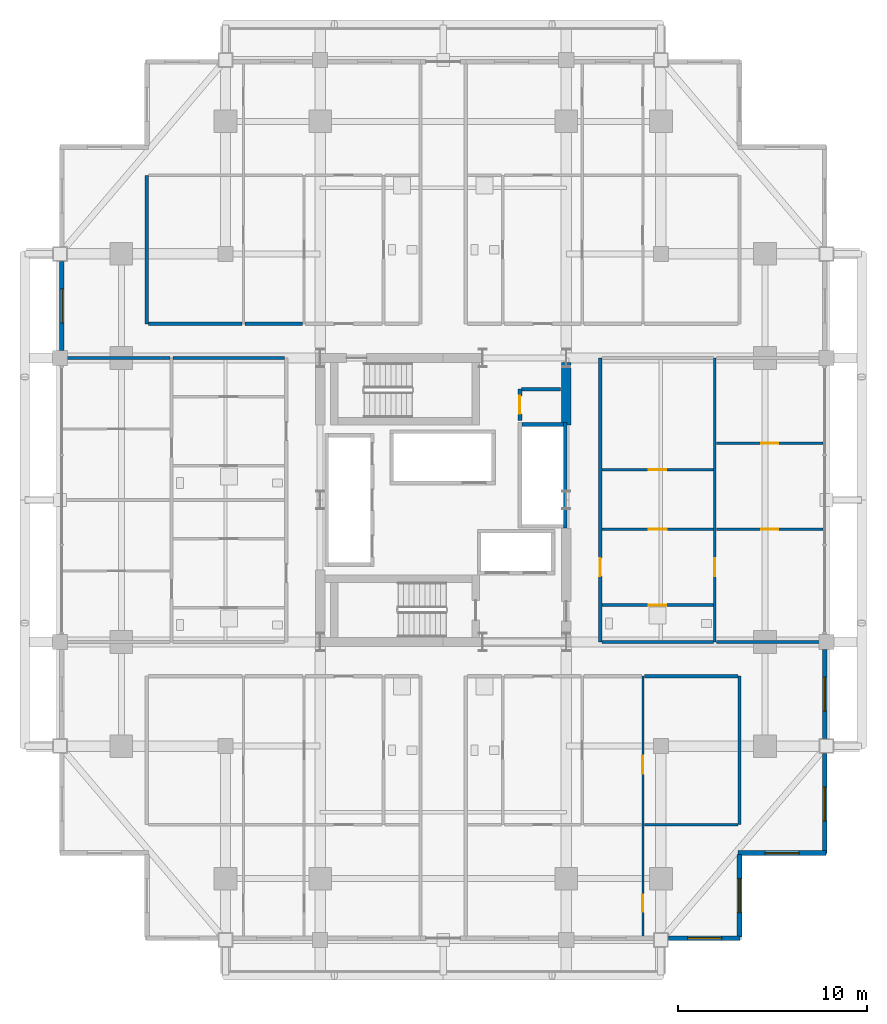
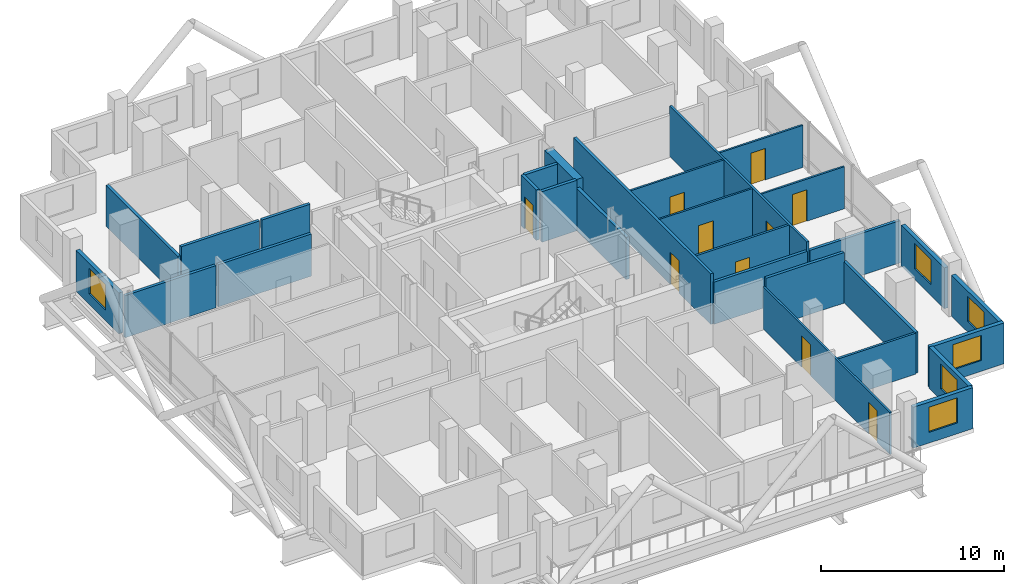
# One storey, part 16 of 21: 29 walls, 10 doors, 6 windows, 16 openings.
"""IFC4 building model written with IfcOpenShell, lengths in metres."""

import ifcopenshell
import ifcopenshell.guid

model = None  # the IFC model being written
_history = None  # IfcOwnerHistory: only IFC2X3 demands one
_inside = {}  # id of a spatial element -> (the spatial element, [elements in it])
_under = {}  # id of a project, library or spatial element -> (it, [spatial elements below it])
_declared = {}  # id of a project -> (the project, [libraries it declares])
_typed = {}  # id of a type object -> (the type object, [elements of that type])
_made_of = {}  # id of a material, layer set ... -> (it, [elements and type objects made of it])


def new_model(schema):
    """Start an empty IFC model of exactly this schema.

    Asked for "IFC4X3", IfcOpenShell would pick the latest addendum, in which some entities
    have other attributes; the version numbers below select the first issue.
    IFC2X3 requires an IfcOwnerHistory on every rooted entity: one is made here for all.
    """
    global model, _history
    if schema == "IFC4X3":
        model = ifcopenshell.file(schema_version=(4, 3, 0, 0))
    else:
        model = ifcopenshell.file(schema=schema)
    _inside.clear()
    _under.clear()
    _declared.clear()
    _typed.clear()
    _made_of.clear()
    _history = None
    if model.schema == "IFC2X3":
        org = make("IfcOrganization", Name="unknown")
        user = make(
            "IfcPersonAndOrganization",
            ThePerson=make("IfcPerson", FamilyName="unknown"),
            TheOrganization=org,
        )
        app = make(
            "IfcApplication",
            ApplicationDeveloper=org,
            Version="unknown",
            ApplicationFullName="unknown",
            ApplicationIdentifier="unknown",
        )
        _history = make(
            "IfcOwnerHistory",
            OwningUser=user,
            OwningApplication=app,
            ChangeAction="ADDED",
            CreationDate=0,
        )
    return model


def make(cls, **values):
    """One entity of the class cls with the attributes given. An attribute that is None is left unset."""
    return model.create_entity(
        cls, **{name: value for name, value in values.items() if value is not None}
    )


def rooted(cls, **values):
    """An entity with a GlobalId (a new one), such as an element, a storey or a relation."""
    return make(cls, GlobalId=ifcopenshell.guid.new(), OwnerHistory=_history, **values)


def si_unit(unit_type, name, prefix=None):
    """IfcSIUnit, for example si_unit("LENGTHUNIT", "METRE", prefix="MILLI")."""
    return make("IfcSIUnit", UnitType=unit_type, Prefix=prefix, Name=name)


def assignment(units):
    """IfcUnitAssignment: the units of a project."""
    return None if units is None else make("IfcUnitAssignment", Units=units)


def point(xyz):
    """IfcCartesianPoint."""
    return None if xyz is None else make("IfcCartesianPoint", Coordinates=xyz)


def direction(xyz):
    """IfcDirection."""
    return None if xyz is None else make("IfcDirection", DirectionRatios=xyz)


def frame(location, z_axis=None, x_axis=None):
    """IfcAxis2Placement3D, a coordinate frame: its origin and axes. An axis left out is left unset."""
    return make(
        "IfcAxis2Placement3D",
        Location=point(location),
        Axis=direction(z_axis),
        RefDirection=direction(x_axis),
    )


def frame_2d(location, x_axis=None):
    """IfcAxis2Placement2D, a coordinate frame in the plane: its origin and x axis."""
    return make(
        "IfcAxis2Placement2D", Location=point(location), RefDirection=direction(x_axis)
    )


def origin():
    """The frame at (0, 0, 0) with its axes left unset."""
    return frame((0.0, 0.0, 0.0))


def place(relative_to, where):
    """IfcLocalPlacement: puts the frame where relative to a parent placement (None: the world)."""
    return make(
        "IfcLocalPlacement", PlacementRelTo=relative_to, RelativePlacement=where
    )


def context(
    kind, dimensions, precision=None, world=None, true_north=None, identifier=None
):
    """IfcGeometricRepresentationContext, for example the 3D "Model" context."""
    return make(
        "IfcGeometricRepresentationContext",
        ContextIdentifier=identifier,
        ContextType=kind,
        CoordinateSpaceDimension=dimensions,
        Precision=precision,
        WorldCoordinateSystem=world,
        TrueNorth=true_north,
    )


def subcontext(parent, identifier, kind, view, scale=None):
    """IfcGeometricRepresentationSubContext, for example "Body" below "Model"."""
    return make(
        "IfcGeometricRepresentationSubContext",
        ContextIdentifier=identifier,
        ContextType=kind,
        ParentContext=parent,
        TargetScale=scale,
        TargetView=view,
    )


def project(units=None, contexts=None):
    """IfcProject with its units and contexts."""
    return rooted(
        "IfcProject",
        Name="project",
        RepresentationContexts=contexts,
        UnitsInContext=assignment(units),
    )


def spatial(cls, under=None, at=None, **own):
    """A site, building, storey or space (cls), placed at a placement, below another one or the project."""
    s = rooted(cls, ObjectPlacement=at, **own)
    if under is not None:
        _under.setdefault(under.id(), (under, []))[1].append(s)
    return s


def profile(cls, at=None, kind="AREA", **sizes):
    """A parametric profile (cls). Its sizes go by their IFC names, for example OverallWidth=200.0."""
    return make(cls, ProfileType=kind, Position=at, **sizes)


def rectangle(**sizes):
    """IfcRectangleProfileDef."""
    return profile("IfcRectangleProfileDef", **sizes)


def extrude(swept, where, along, depth):
    """IfcExtrudedAreaSolid: the profile swept, set in the frame where, extruded along a direction by depth."""
    return make(
        "IfcExtrudedAreaSolid",
        SweptArea=swept,
        Position=where,
        ExtrudedDirection=direction(along),
        Depth=depth,
    )


def shape(context_of_items, identifier, shape_type, items):
    """IfcShapeRepresentation: the items that make up one representation, for example the "Body"."""
    return make(
        "IfcShapeRepresentation",
        ContextOfItems=context_of_items,
        RepresentationIdentifier=identifier,
        RepresentationType=shape_type,
        Items=items,
    )


def material(Name=None, Category=None):
    """IfcMaterial."""
    return make("IfcMaterial", Name=Name, Category=Category)


def layer(
    of_material, thickness, ventilated=None, Name=None, Category=None, Priority=None
):
    """IfcMaterialLayer: one layer of a wall or slab, of a material (None: an air gap)."""
    return make(
        "IfcMaterialLayer",
        Material=of_material,
        LayerThickness=thickness,
        IsVentilated=ventilated,
        Name=Name,
        Category=Category,
        Priority=Priority,
    )


def layer_set(layers, Name=None):
    """IfcMaterialLayerSet."""
    return make("IfcMaterialLayerSet", MaterialLayers=layers, LayerSetName=Name)


def made_of(thing, what):
    """Note that an element or type object is made of a material, layer set ...; save() writes the relation."""
    if what is not None:
        _made_of.setdefault(what.id(), (what, []))[1].append(thing)
    return thing


def type_object(cls, material=None, **own):
    """A type object (cls), such as IfcWallType, which elements share."""
    return made_of(rooted(cls, **own), material)


def element(
    cls,
    number,
    at=None,
    inside=None,
    cuts=None,
    type_object=None,
    material=None,
    context=None,
    identifier="Body",
    shape_type=None,
    held_by="IfcProductDefinitionShape",
    body=None,
    shapes=None,
    **own,
):
    """One element of the class cls, such as IfcWall. Its Tag is "e" and its number.

    at: its placement. inside: the storey or other place that contains it. cuts: it is an
    opening in that element (IfcRelVoidsElement). A single representation is given by context,
    identifier, shape_type and body (its items); several are given by shapes. held_by: the class
    of the entity that holds the representations. save() writes the other relations.
    """
    e = rooted(cls, Tag="e%d" % number, ObjectPlacement=at, **own)
    if body is not None:
        shapes = [shape(context, identifier, shape_type, body)]
    if shapes is not None:
        e.Representation = make(held_by, Representations=shapes)
    if inside is not None:
        _inside.setdefault(inside.id(), (inside, []))[1].append(e)
    if cuts is not None:
        rooted(
            "IfcRelVoidsElement", RelatingBuildingElement=cuts, RelatedOpeningElement=e
        )
    if type_object is not None:
        _typed.setdefault(type_object.id(), (type_object, []))[1].append(e)
    return made_of(e, material)


def fill(opening, filler):
    """IfcRelFillsElement: the door or window that sits in an opening."""
    return rooted(
        "IfcRelFillsElement",
        RelatingOpeningElement=opening,
        RelatedBuildingElement=filler,
    )


def aggregate(whole, parts):
    """IfcRelAggregates: a whole, such as a stair, and the parts it consists of."""
    return rooted("IfcRelAggregates", RelatingObject=whole, RelatedObjects=parts)


def save(model, path):
    """Write the relations noted so far, then the file.

    IfcRelAggregates (storeys below a building ...), IfcRelContainedInSpatialStructure (elements
    in a storey), IfcRelDefinesByType, IfcRelAssociatesMaterial and IfcRelDeclares: one each for
    every whole, place, type object, material and project.
    """
    for whole, parts in _under.values():
        aggregate(whole, parts)
    for where, things in _inside.values():
        rooted(
            "IfcRelContainedInSpatialStructure",
            RelatedElements=things,
            RelatingStructure=where,
        )
    for kind, things in _typed.values():
        rooted("IfcRelDefinesByType", RelatedObjects=things, RelatingType=kind)
    for what, things in _made_of.values():
        rooted("IfcRelAssociatesMaterial", RelatedObjects=things, RelatingMaterial=what)
    for by, libraries in _declared.values():
        rooted("IfcRelDeclares", RelatingContext=by, RelatedDefinitions=libraries)
    model.write(path)


model = new_model("IFC4")

# Units and contexts
model_context = context("Model", 3, precision=1e-05, world=origin(), true_north=direction((0.0, 1.0)))
body_context = subcontext(model_context, "Body", "Model", "MODEL_VIEW")
ifc_project = project(units=[si_unit("LENGTHUNIT", "METRE"), si_unit("AREAUNIT", "SQUARE_METRE"), si_unit("VOLUMEUNIT", "CUBIC_METRE"), si_unit("PLANEANGLEUNIT", "RADIAN"), si_unit("MASSUNIT", "GRAM", prefix="KILO")], contexts=[model_context])

# Site, building, storey
site_placement = place(None, origin())
site = spatial("IfcSite", under=ifc_project, at=site_placement, CompositionType="ELEMENT")
building_placement = place(site_placement, origin())
building = spatial("IfcBuilding", under=site, at=building_placement, Name="Barlavira Tower and Art Museum", CompositionType="ELEMENT")
storey_placement = place(building_placement, frame((0.0, 0.0, 99.0)))
storey = spatial("IfcBuildingStorey", under=building, at=storey_placement, Name="L24", CompositionType="ELEMENT", Elevation=99.0)

# Wall, openings, doors
ifc_material_1 = material(Name="Gypsum acoustic stud partition", Category="gypsum")
ifc_layer_1 = layer(ifc_material_1, 0.1201171875, Name="Gypsum acoustic stud partition")
ifc_layer_set_1 = layer_set([ifc_layer_1], Name="Gypsum acoustic stud partition")
wall_type_1 = type_object("IfcWallType", Name="Apartment Internal Acoustic Partition 120", PredefinedType="PARTITIONING", material=ifc_layer_set_1)
wall_1_placement = place(storey_placement, frame((10.550048828125, -23.14990234375, 0.0), z_axis=(0.0, 0.0, 1.0), x_axis=(0.0, 1.0, 0.0)))
wall_1 = element("IfcWall", 1, at=wall_1_placement, inside=storey, type_object=wall_type_1, Name="L24 Partition Wall 21", PredefinedType="PARTITIONING", context=body_context, shape_type="SweptSolid", body=[
    extrude(rectangle(XDim=13.849853515625, YDim=0.1201171875, at=frame_2d((6.9248046875, 0.0))), origin(), (0.0, 0.0, 1.0), 2.81591796875),
])
opening_1_placement = place(wall_1_placement, frame((8.681396484375, 0.0, 0.0)))
opening_1 = element("IfcOpeningElement", 2, at=opening_1_placement, cuts=wall_1, Name="Opening D-02", PredefinedType="OPENING", context=body_context, shape_type="SweptSolid", body=[
    extrude(rectangle(XDim=0.949951171875, YDim=2.10009765625, at=frame_2d((0.47509765625, 1.050048828125))), frame((0.0, 0.070068359375, 0.0), z_axis=(0.0, -1.0, 0.0), x_axis=(1.0, 0.0, 0.0)), (0.0, 0.0, 1.0), 0.14013671875),
])
opening_2_placement = place(wall_1_placement, frame((1.39892578125, 0.0, 0.0)))
opening_2 = element("IfcOpeningElement", 3, at=opening_2_placement, cuts=wall_1, Name="Opening D-01", PredefinedType="OPENING", context=body_context, shape_type="SweptSolid", body=[
    extrude(rectangle(XDim=0.89990234375, YDim=2.10009765625, at=frame_2d((0.449951171875, 1.050048828125))), frame((0.0, 0.070068359375, 0.0), z_axis=(0.0, -1.0, 0.0), x_axis=(1.0, 0.0, 0.0)), (0.0, 0.0, 1.0), 0.14013671875),
])
ifc_material_2 = material(Name="Engineered coastal hardwood", Category="wood")
door_type_1 = type_object("IfcDoorType", Name="Internal Bedroom Timber Flush Door 900x2100", OperationType="NOTDEFINED", PredefinedType="DOOR", material=ifc_material_2)
door_1_placement = place(opening_2_placement, origin())
door_1 = element("IfcDoor", 4, at=door_1_placement, inside=storey, type_object=door_type_1, Name="Apartment SE1 Bedroom 1 Door", OperationType="SINGLE_SWING_LEFT", OverallHeight=2.10009765625, OverallWidth=0.89990234375, PredefinedType="DOOR", context=body_context, shape_type="SweptSolid", body=[
    extrude(rectangle(XDim=0.89990234375, YDim=2.10009765625, at=frame_2d((0.449951171875, 1.050048828125))), frame((0.0, 0.02490234375, 0.0), z_axis=(0.0, -1.0, 0.0), x_axis=(1.0, 0.0, 0.0)), (0.0, 0.0, 1.0), 0.050048828125),
])
fill(opening_2, door_1)
door_type_2 = type_object("IfcDoorType", Name="Living and Salon Glazed-Leaf Door 950x2100", OperationType="NOTDEFINED", PredefinedType="DOOR", material=ifc_material_2)
door_2_placement = place(opening_1_placement, origin())
door_2 = element("IfcDoor", 5, at=door_2_placement, inside=storey, type_object=door_type_2, Name="Apartment SE1 Dining Salon Door", OperationType="SINGLE_SWING_LEFT", OverallHeight=2.10009765625, OverallWidth=0.949951171875, PredefinedType="DOOR", context=body_context, shape_type="SweptSolid", body=[
    extrude(rectangle(XDim=0.949951171875, YDim=2.10009765625, at=frame_2d((0.47509765625, 1.050048828125))), frame((0.0, 0.02490234375, 0.0), z_axis=(0.0, -1.0, 0.0), x_axis=(1.0, 0.0, 0.0)), (0.0, 0.0, 1.0), 0.050048828125),
])
fill(opening_1, door_2)

# Wall, opening, door
wall_2_placement = place(storey_placement, frame((8.3798828125, -1.550048828125, 0.0), z_axis=(0.0, 0.0, 1.0), x_axis=(1.0, 0.0, 0.0)))
wall_2 = element("IfcWall", 6, at=wall_2_placement, inside=storey, type_object=wall_type_1, Name="L24 Partition Wall 50", PredefinedType="PARTITIONING", context=body_context, shape_type="SweptSolid", body=[
    extrude(rectangle(XDim=5.89013671875, YDim=0.1201171875, at=frame_2d((2.945068359375, 0.0))), origin(), (0.0, 0.0, 1.0), 3.3798828125),
])
opening_3_placement = place(wall_2_placement, frame((2.465087890625, 0.0, 0.0)))
opening_3 = element("IfcOpeningElement", 7, at=opening_3_placement, cuts=wall_2, Name="Opening D-02", PredefinedType="OPENING", context=body_context, shape_type="SweptSolid", body=[
    extrude(rectangle(XDim=0.949951171875, YDim=2.10009765625, at=frame_2d((0.47509765625, 1.050048828125))), frame((0.0, 0.070068359375, 0.0), z_axis=(0.0, -1.0, 0.0), x_axis=(1.0, 0.0, 0.0)), (0.0, 0.0, 1.0), 0.14013671875),
])
door_3_placement = place(opening_3_placement, origin())
door_3 = element("IfcDoor", 8, at=door_3_placement, inside=storey, type_object=door_type_2, Name="Apartment E1 Kitchen Door", OperationType="SINGLE_SWING_LEFT", OverallHeight=2.10009765625, OverallWidth=0.949951171875, PredefinedType="DOOR", context=body_context, shape_type="SweptSolid", body=[
    extrude(rectangle(XDim=0.949951171875, YDim=2.10009765625, at=frame_2d((0.47509765625, 1.050048828125))), frame((0.0, 0.02490234375, 0.0), z_axis=(0.0, -1.0, 0.0), x_axis=(1.0, 0.0, 0.0)), (0.0, 0.0, 1.0), 0.050048828125),
])
fill(opening_3, door_3)

wall_3_placement = place(storey_placement, frame((14.429931640625, -1.550048828125, 0.0), z_axis=(0.0, 0.0, 1.0), x_axis=(1.0, 0.0, 0.0)))
wall_3 = element("IfcWall", 9, at=wall_3_placement, inside=storey, type_object=wall_type_1, Name="L24 Partition Wall 51", PredefinedType="PARTITIONING", context=body_context, shape_type="SweptSolid", body=[
    extrude(rectangle(XDim=5.64013671875, YDim=0.1201171875, at=frame_2d((2.820068359375, 0.0))), origin(), (0.0, 0.0, 1.0), 2.81591796875),
])
opening_4_placement = place(wall_3_placement, frame((2.3701171875, 0.0, 0.0)))
opening_4 = element("IfcOpeningElement", 10, at=opening_4_placement, cuts=wall_3, Name="Opening D-01", PredefinedType="OPENING", context=body_context, shape_type="SweptSolid", body=[
    extrude(rectangle(XDim=0.89990234375, YDim=2.10009765625, at=frame_2d((0.449951171875, 1.050048828125))), frame((0.0, 0.070068359375, 0.0), z_axis=(0.0, -1.0, 0.0), x_axis=(1.0, 0.0, 0.0)), (0.0, 0.0, 1.0), 0.14013671875),
])
door_4_placement = place(opening_4_placement, origin())
door_4 = element("IfcDoor", 11, at=door_4_placement, inside=storey, type_object=door_type_1, Name="Apartment E1 Bedroom 1 Door", OperationType="SINGLE_SWING_RIGHT", OverallHeight=2.10009765625, OverallWidth=0.89990234375, PredefinedType="DOOR", context=body_context, shape_type="SweptSolid", body=[
    extrude(rectangle(XDim=0.89990234375, YDim=2.10009765625, at=frame_2d((0.449951171875, 1.050048828125))), frame((0.0, 0.02490234375, 0.0), z_axis=(0.0, -1.0, 0.0), x_axis=(1.0, 0.0, 0.0)), (0.0, 0.0, 1.0), 0.050048828125),
])
fill(opening_4, door_4)

wall_4_placement = place(storey_placement, frame((8.3798828125, 1.60009765625, 0.0), z_axis=(0.0, 0.0, 1.0), x_axis=(1.0, 0.0, 0.0)))
wall_4 = element("IfcWall", 12, at=wall_4_placement, inside=storey, type_object=wall_type_1, Name="L24 Partition Wall 54", PredefinedType="PARTITIONING", context=body_context, shape_type="SweptSolid", body=[
    extrude(rectangle(XDim=5.89013671875, YDim=0.1201171875, at=frame_2d((2.945068359375, 0.0))), origin(), (0.0, 0.0, 1.0), 3.3798828125),
])
opening_5_placement = place(wall_4_placement, frame((2.489990234375, 0.0, 0.0)))
opening_5 = element("IfcOpeningElement", 13, at=opening_5_placement, cuts=wall_4, Name="Opening D-01", PredefinedType="OPENING", context=body_context, shape_type="SweptSolid", body=[
    extrude(rectangle(XDim=0.89990234375, YDim=2.10009765625, at=frame_2d((0.449951171875, 1.050048828125))), frame((0.0, 0.070068359375, 0.0), z_axis=(0.0, -1.0, 0.0), x_axis=(1.0, 0.0, 0.0)), (0.0, 0.0, 1.0), 0.14013671875),
])
door_5_placement = place(opening_5_placement, origin())
door_5 = element("IfcDoor", 14, at=door_5_placement, inside=storey, type_object=door_type_1, Name="Apartment E1 Walk-In Dressing Room Door", OperationType="SINGLE_SWING_RIGHT", OverallHeight=2.10009765625, OverallWidth=0.89990234375, PredefinedType="DOOR", context=body_context, shape_type="SweptSolid", body=[
    extrude(rectangle(XDim=0.89990234375, YDim=2.10009765625, at=frame_2d((0.449951171875, 1.050048828125))), frame((0.0, 0.02490234375, 0.0), z_axis=(0.0, -1.0, 0.0), x_axis=(1.0, 0.0, 0.0)), (0.0, 0.0, 1.0), 0.050048828125),
])
fill(opening_5, door_5)

wall_5_placement = place(storey_placement, frame((14.429931640625, 3.0, 0.0), z_axis=(0.0, 0.0, 1.0), x_axis=(1.0, 0.0, 0.0)))
wall_5 = element("IfcWall", 15, at=wall_5_placement, inside=storey, type_object=wall_type_1, Name="L24 Partition Wall 56", PredefinedType="PARTITIONING", context=body_context, shape_type="SweptSolid", body=[
    extrude(rectangle(XDim=5.64013671875, YDim=0.1201171875, at=frame_2d((2.820068359375, 0.0))), origin(), (0.0, 0.0, 1.0), 2.81591796875),
])
opening_6_placement = place(wall_5_placement, frame((2.3701171875, 0.0, 0.0)))
opening_6 = element("IfcOpeningElement", 16, at=opening_6_placement, cuts=wall_5, Name="Opening D-01", PredefinedType="OPENING", context=body_context, shape_type="SweptSolid", body=[
    extrude(rectangle(XDim=0.89990234375, YDim=2.10009765625, at=frame_2d((0.449951171875, 1.050048828125))), frame((0.0, 0.070068359375, 0.0), z_axis=(0.0, -1.0, 0.0), x_axis=(1.0, 0.0, 0.0)), (0.0, 0.0, 1.0), 0.14013671875),
])
door_6_placement = place(opening_6_placement, origin())
door_6 = element("IfcDoor", 17, at=door_6_placement, inside=storey, type_object=door_type_1, Name="Apartment E1 Bedroom 2 Door", OperationType="SINGLE_SWING_LEFT", OverallHeight=2.10009765625, OverallWidth=0.89990234375, PredefinedType="DOOR", context=body_context, shape_type="SweptSolid", body=[
    extrude(rectangle(XDim=0.89990234375, YDim=2.10009765625, at=frame_2d((0.449951171875, 1.050048828125))), frame((0.0, 0.02490234375, 0.0), z_axis=(0.0, -1.0, 0.0), x_axis=(1.0, 0.0, 0.0)), (0.0, 0.0, 1.0), 0.050048828125),
])
fill(opening_6, door_6)

# Walls
ifc_material_3 = material(Name="Concrete C60", Category="concrete")
ifc_layer_2 = layer(ifc_material_3, 0.5, Name="Concrete C60")
ifc_layer_set_2 = layer_set([ifc_layer_2], Name="Concrete C60")
wall_type_2 = type_object("IfcWallType", Name="Core Structural Shear Wall 500 Concrete C60", PredefinedType="SHEAR", material=ifc_layer_set_2)
wall_6_placement = place(storey_placement, frame((6.5, 3.949951171875, 0.0), z_axis=(0.0, 0.0, 1.0), x_axis=(0.0, 1.0, 0.0)))
element("IfcWall", 18, at=wall_6_placement, inside=storey, type_object=wall_type_2, Name="L24 Core Shear Wall CS-E2", PredefinedType="SHEAR", context=body_context, shape_type="SweptSolid", body=[
    extrude(rectangle(XDim=3.300048828125, YDim=0.5, at=frame_2d((1.64990234375, 0.0))), origin(), (0.0, 0.0, 1.0), 3.3798828125),
])
ifc_material_4 = material(Name="Autoclaved aerated concrete masonry", Category="masonry")
ifc_layer_3 = layer(ifc_material_4, 0.199951171875, Name="Autoclaved aerated concrete masonry")
ifc_layer_set_3 = layer_set([ifc_layer_3], Name="Autoclaved aerated concrete masonry")
wall_type_3 = type_object("IfcWallType", Name="Fire Compartment and Shaft Wall 200", PredefinedType="SOLIDWALL", material=ifc_layer_set_3)
wall_7_placement = place(storey_placement, frame((6.449951171875, -1.489990234375, 0.0), z_axis=(0.0, 0.0, 1.0), x_axis=(0.0, 1.0, 0.0)))
element("IfcWall", 19, at=wall_7_placement, inside=storey, type_object=wall_type_3, Name="L24 Mid-Rise Lift Back Shaft Wall", PredefinedType="SOLIDWALL", context=body_context, shape_type="SweptSolid", body=[
    extrude(rectangle(XDim=5.580078125, YDim=0.199951171875, at=frame_2d((2.7900390625, 0.0))), origin(), (0.0, 0.0, 1.0), 2.81591796875),
])
wall_8_placement = place(storey_placement, frame((4.14990234375, 3.989990234375, 0.0), z_axis=(0.0, 0.0, 1.0), x_axis=(1.0, 0.0, 0.0)))
element("IfcWall", 20, at=wall_8_placement, inside=storey, type_object=wall_type_3, Name="L24 Mid-Rise Lift North Shaft Wall", PredefinedType="SOLIDWALL", context=body_context, shape_type="SweptSolid", body=[
    extrude(rectangle(XDim=2.2001953125, YDim=0.199951171875, at=frame_2d((1.10009765625, 0.0))), origin(), (0.0, 0.0, 1.0), 3.3798828125),
])

# Wall, opening, door
wall_9_placement = place(storey_placement, frame((4.050048828125, 4.199951171875, 0.0), z_axis=(0.0, 0.0, 1.0), x_axis=(0.0, 1.0, 0.0)))
wall_9 = element("IfcWall", 21, at=wall_9_placement, inside=storey, type_object=wall_type_3, Name="L24 Partition Wall 17", PredefinedType="SOLIDWALL", context=body_context, shape_type="SweptSolid", body=[
    extrude(rectangle(XDim=1.650146484375, YDim=0.199951171875, at=frame_2d((0.8251953125, 0.0))), origin(), (0.0, 0.0, 1.0), 3.3798828125),
])
opening_7_placement = place(wall_9_placement, frame((0.344970703125, 0.0, 0.0)))
opening_7 = element("IfcOpeningElement", 22, at=opening_7_placement, cuts=wall_9, Name="Opening FD-60", PredefinedType="OPENING", context=body_context, shape_type="SweptSolid", body=[
    extrude(rectangle(XDim=0.949951171875, YDim=2.14990234375, at=frame_2d((0.47509765625, 1.074951171875))), frame((0.0, 0.10986328125, 0.0), z_axis=(0.0, -1.0, 0.0), x_axis=(1.0, 0.0, 0.0)), (0.0, 0.0, 1.0), 0.219970703125),
])
ifc_material_5 = material(Name="Brushed stainless steel", Category="steel")
door_type_3 = type_object("IfcDoorType", Name="Apartment Entrance and Riser Fire Door 950x2150 FD60S", OperationType="NOTDEFINED", PredefinedType="DOOR", material=ifc_material_5)
door_7_placement = place(opening_7_placement, origin())
door_7 = element("IfcDoor", 23, at=door_7_placement, inside=storey, type_object=door_type_3, Name="Telecom and BMS Distribution Room Door", OperationType="SINGLE_SWING_RIGHT", OverallHeight=2.14990234375, OverallWidth=0.949951171875, PredefinedType="DOOR", context=body_context, shape_type="SweptSolid", body=[
    extrude(rectangle(XDim=0.949951171875, YDim=2.14990234375, at=frame_2d((0.47509765625, 1.074951171875))), frame((0.0, 0.02490234375, 0.0), z_axis=(0.0, -1.0, 0.0), x_axis=(1.0, 0.0, 0.0)), (0.0, 0.0, 1.0), 0.050048828125),
])
fill(opening_7, door_7)

# Walls
wall_10_placement = place(storey_placement, frame((4.1298828125, 5.85009765625, 0.0), z_axis=(0.0, 0.0, 1.0), x_axis=(1.0, 0.0, 0.0)))
element("IfcWall", 24, at=wall_10_placement, inside=storey, type_object=wall_type_3, Name="L24 Partition Wall 59", PredefinedType="SOLIDWALL", context=body_context, shape_type="SweptSolid", body=[
    extrude(rectangle(XDim=2.070068359375, YDim=0.199951171875, at=frame_2d((1.03515625, 0.0))), origin(), (0.0, 0.0, 1.0), 3.3798828125),
])
ifc_layer_4 = layer(ifc_material_1, 0.179931640625, Name="Gypsum acoustic stud partition")
ifc_layer_set_4 = layer_set([ifc_layer_4], Name="Gypsum acoustic stud partition")
wall_type_4 = type_object("IfcWallType", Name="Inter-Tenancy Party Partition Wall 180", PredefinedType="PARTITIONING", material=ifc_layer_set_4)
wall_11_placement = place(storey_placement, frame((-15.64990234375, 9.300048828125, 0.0), z_axis=(0.0, 0.0, 1.0), x_axis=(0.0, 1.0, 0.0)))
element("IfcWall", 25, at=wall_11_placement, inside=storey, type_object=wall_type_4, Name="L24 Partition Wall 2", PredefinedType="PARTITIONING", context=body_context, shape_type="SweptSolid", body=[
    extrude(rectangle(XDim=7.849853515625, YDim=0.179931640625, at=frame_2d((3.9248046875, 0.0))), origin(), (0.0, 0.0, 1.0), 2.736083984375),
])

# Wall, opening, door
wall_12_placement = place(storey_placement, frame((8.300048828125, -7.5, 0.0), z_axis=(0.0, 0.0, 1.0), x_axis=(0.0, 1.0, 0.0)))
wall_12 = element("IfcWall", 26, at=wall_12_placement, inside=storey, type_object=wall_type_4, Name="L24 Partition Wall 20", PredefinedType="PARTITIONING", context=body_context, shape_type="SweptSolid", body=[
    extrude(rectangle(XDim=15.0, YDim=0.179931640625, at=frame_2d((7.5, 0.0))), origin(), (0.0, 0.0, 1.0), 3.3798828125),
])
opening_8_placement = place(wall_12_placement, frame((3.47509765625, 0.0, 0.0)))
opening_8 = element("IfcOpeningElement", 27, at=opening_8_placement, cuts=wall_12, Name="Opening FD-60", PredefinedType="OPENING", context=body_context, shape_type="SweptSolid", body=[
    extrude(rectangle(XDim=0.949951171875, YDim=2.14990234375, at=frame_2d((0.47509765625, 1.074951171875))), frame((0.0, 0.10009765625, 0.0), z_axis=(0.0, -1.0, 0.0), x_axis=(1.0, 0.0, 0.0)), (0.0, 0.0, 1.0), 0.199951171875),
])
door_8_placement = place(opening_8_placement, origin())
door_8 = element("IfcDoor", 28, at=door_8_placement, inside=storey, type_object=door_type_3, Name="Apartment Entrance Hall E1 Door", OperationType="SINGLE_SWING_RIGHT", OverallHeight=2.14990234375, OverallWidth=0.949951171875, PredefinedType="DOOR", context=body_context, shape_type="SweptSolid", body=[
    extrude(rectangle(XDim=0.949951171875, YDim=2.14990234375, at=frame_2d((0.47509765625, 1.074951171875))), frame((0.0, 0.02490234375, 0.0), z_axis=(0.0, -1.0, 0.0), x_axis=(1.0, 0.0, 0.0)), (0.0, 0.0, 1.0), 0.050048828125),
])
fill(opening_8, door_8)

# Walls
wall_13_placement = place(storey_placement, frame((15.64990234375, -17.14990234375, 0.0), z_axis=(0.0, 0.0, 1.0), x_axis=(0.0, 1.0, 0.0)))
element("IfcWall", 29, at=wall_13_placement, inside=storey, type_object=wall_type_4, Name="L24 Partition Wall 24", PredefinedType="PARTITIONING", context=body_context, shape_type="SweptSolid", body=[
    extrude(rectangle(XDim=7.849853515625, YDim=0.179931640625, at=frame_2d((3.9248046875, 0.0))), origin(), (0.0, 0.0, 1.0), 2.736083984375),
])
wall_14_placement = place(storey_placement, frame((10.6298828125, -9.300048828125, 0.0), z_axis=(0.0, 0.0, 1.0), x_axis=(1.0, 0.0, 0.0)))
element("IfcWall", 30, at=wall_14_placement, inside=storey, type_object=wall_type_4, Name="L24 Partition Wall 41", PredefinedType="PARTITIONING", context=body_context, shape_type="SweptSolid", body=[
    extrude(rectangle(XDim=4.940185546875, YDim=0.179931640625, at=frame_2d((2.47021484375, 0.0))), origin(), (0.0, 0.0, 1.0), 3.3798828125),
])
wall_15_placement = place(storey_placement, frame((8.3798828125, -7.5, 0.0), z_axis=(0.0, 0.0, 1.0), x_axis=(1.0, 0.0, 0.0)))
element("IfcWall", 31, at=wall_15_placement, inside=storey, type_object=wall_type_4, Name="L24 Partition Wall 44", PredefinedType="PARTITIONING", context=body_context, shape_type="SweptSolid", body=[
    extrude(rectangle(XDim=5.89013671875, YDim=0.179931640625, at=frame_2d((2.945068359375, 0.0))), origin(), (0.0, 0.0, 1.0), 2.81591796875),
])
for number, where, z_axis, x_axis, name in (
    (32, (14.429931640625, -7.5, 0.0), (0.0, 0.0, 1.0), (1.0, 0.0, 0.0), "L24 Partition Wall 45"),
    (33, (-20.14990234375, 7.5, 0.0), (0.0, 0.0, 1.0), (1.0, 0.0, 0.0), "L24 Partition Wall 60"),
):
    element("IfcWall", number, at=place(storey_placement, frame(where, z_axis=z_axis, x_axis=x_axis)), inside=storey, type_object=wall_type_4, Name=name, PredefinedType="PARTITIONING", context=body_context, shape_type="SweptSolid", body=[
        extrude(rectangle(XDim=5.719970703125, YDim=0.179931640625, at=frame_2d((2.85986328125, 0.0))), origin(), (0.0, 0.0, 1.0), 2.81591796875),
    ])
wall_16_placement = place(storey_placement, frame((-14.27001953125, 7.5, 0.0), z_axis=(0.0, 0.0, 1.0), x_axis=(1.0, 0.0, 0.0)))
element("IfcWall", 34, at=wall_16_placement, inside=storey, type_object=wall_type_4, Name="L24 Partition Wall 61", PredefinedType="PARTITIONING", context=body_context, shape_type="SweptSolid", body=[
    extrude(rectangle(XDim=5.89013671875, YDim=0.179931640625, at=frame_2d((2.945068359375, 0.0))), origin(), (0.0, 0.0, 1.0), 2.81591796875),
])
wall_17_placement = place(storey_placement, frame((-15.570068359375, 9.300048828125, 0.0), z_axis=(0.0, 0.0, 1.0), x_axis=(1.0, 0.0, 0.0)))
element("IfcWall", 35, at=wall_17_placement, inside=storey, type_object=wall_type_4, Name="L24 Partition Wall 64", PredefinedType="PARTITIONING", context=body_context, shape_type="SweptSolid", body=[
    extrude(rectangle(XDim=4.940185546875, YDim=0.179931640625, at=frame_2d((2.47021484375, 0.0))), origin(), (0.0, 0.0, 1.0), 3.3798828125),
])
wall_18_placement = place(storey_placement, frame((-10.469970703125, 9.300048828125, 0.0), z_axis=(0.0, 0.0, 1.0), x_axis=(1.0, 0.0, 0.0)))
element("IfcWall", 36, at=wall_18_placement, inside=storey, type_object=wall_type_4, Name="L24 Partition Wall 65", PredefinedType="PARTITIONING", context=body_context, shape_type="SweptSolid", body=[
    extrude(rectangle(XDim=3.0400390625, YDim=0.179931640625, at=frame_2d((1.52001953125, 0.0))), origin(), (0.0, 0.0, 1.0), 3.3798828125),
])

# Wall, opening, door
ifc_layer_5 = layer(ifc_material_1, 0.139892578125, Name="Gypsum acoustic stud partition")
ifc_layer_set_5 = layer_set([ifc_layer_5], Name="Gypsum acoustic stud partition")
wall_type_5 = type_object("IfcWallType", Name="Moisture-Resistant Bathroom Partition 140", PredefinedType="PARTITIONING", material=ifc_layer_set_5)
wall_19_placement = place(storey_placement, frame((14.35009765625, -7.5, 0.0), z_axis=(0.0, 0.0, 1.0), x_axis=(0.0, 1.0, 0.0)))
wall_19 = element("IfcWall", 37, at=wall_19_placement, inside=storey, type_object=wall_type_5, Name="L24 Partition Wall 23", PredefinedType="PARTITIONING", context=body_context, shape_type="SweptSolid", body=[
    extrude(rectangle(XDim=15.0, YDim=0.139892578125, at=frame_2d((7.5, 0.0))), origin(), (0.0, 0.0, 1.0), 3.3798828125),
])
opening_9_placement = place(wall_19_placement, frame((3.47509765625, 0.0, 0.0)))
opening_9 = element("IfcOpeningElement", 38, at=opening_9_placement, cuts=wall_19, Name="Opening D-02", PredefinedType="OPENING", context=body_context, shape_type="SweptSolid", body=[
    extrude(rectangle(XDim=0.949951171875, YDim=2.10009765625, at=frame_2d((0.47509765625, 1.050048828125))), frame((0.0, 0.080078125, 0.0), z_axis=(0.0, -1.0, 0.0), x_axis=(1.0, 0.0, 0.0)), (0.0, 0.0, 1.0), 0.159912109375),
])
door_9_placement = place(opening_9_placement, origin())
door_9 = element("IfcDoor", 39, at=door_9_placement, inside=storey, type_object=door_type_2, Name="Apartment E1 Living Lounge Door", OperationType="SINGLE_SWING_LEFT", OverallHeight=2.10009765625, OverallWidth=0.949951171875, PredefinedType="DOOR", context=body_context, shape_type="SweptSolid", body=[
    extrude(rectangle(XDim=0.949951171875, YDim=2.10009765625, at=frame_2d((0.47509765625, 1.050048828125))), frame((0.0, 0.02490234375, 0.0), z_axis=(0.0, -1.0, 0.0), x_axis=(1.0, 0.0, 0.0)), (0.0, 0.0, 1.0), 0.050048828125),
])
fill(opening_9, door_9)

# Wall
wall_20_placement = place(storey_placement, frame((10.6298828125, -17.14990234375, 0.0), z_axis=(0.0, 0.0, 1.0), x_axis=(1.0, 0.0, 0.0)))
element("IfcWall", 40, at=wall_20_placement, inside=storey, type_object=wall_type_5, Name="L24 Partition Wall 33", PredefinedType="PARTITIONING", context=body_context, shape_type="SweptSolid", body=[
    extrude(rectangle(XDim=4.940185546875, YDim=0.139892578125, at=frame_2d((2.47021484375, 0.0))), origin(), (0.0, 0.0, 1.0), 2.736083984375),
])

# Wall, opening, door
wall_21_placement = place(storey_placement, frame((8.3798828125, -5.550048828125, 0.0), z_axis=(0.0, 0.0, 1.0), x_axis=(1.0, 0.0, 0.0)))
wall_21 = element("IfcWall", 41, at=wall_21_placement, inside=storey, type_object=wall_type_5, Name="L24 Partition Wall 47", PredefinedType="PARTITIONING", context=body_context, shape_type="SweptSolid", body=[
    extrude(rectangle(XDim=5.89013671875, YDim=0.139892578125, at=frame_2d((2.945068359375, 0.0))), origin(), (0.0, 0.0, 1.0), 3.3798828125),
])
opening_10_placement = place(wall_21_placement, frame((2.489990234375, 0.0, 0.0)))
opening_10 = element("IfcOpeningElement", 42, at=opening_10_placement, cuts=wall_21, Name="Opening D-WC", PredefinedType="OPENING", context=body_context, shape_type="SweptSolid", body=[
    extrude(rectangle(XDim=0.89990234375, YDim=2.10009765625, at=frame_2d((0.449951171875, 1.050048828125))), frame((0.0, 0.080078125, 0.0), z_axis=(0.0, -1.0, 0.0), x_axis=(1.0, 0.0, 0.0)), (0.0, 0.0, 1.0), 0.159912109375),
])
door_type_4 = type_object("IfcDoorType", Name="Accessible Bathroom Flush Door 900x2100", OperationType="NOTDEFINED", PredefinedType="DOOR", material=ifc_material_2)
door_10_placement = place(opening_10_placement, origin())
door_10 = element("IfcDoor", 43, at=door_10_placement, inside=storey, type_object=door_type_4, Name="Apartment E1 Hall Bathroom Door", OperationType="SINGLE_SWING_LEFT", OverallHeight=2.10009765625, OverallWidth=0.89990234375, PredefinedType="DOOR", context=body_context, shape_type="SweptSolid", body=[
    extrude(rectangle(XDim=0.89990234375, YDim=2.10009765625, at=frame_2d((0.449951171875, 1.050048828125))), frame((0.0, 0.02490234375, 0.0), z_axis=(0.0, -1.0, 0.0), x_axis=(1.0, 0.0, 0.0)), (0.0, 0.0, 1.0), 0.050048828125),
])
fill(opening_10, door_10)

# Wall, opening, window
ifc_material_6 = material(Name="Precast concrete C40", Category="concrete")
ifc_layer_6 = layer(ifc_material_6, 0.25, Name="Precast concrete C40")
ifc_layer_set_6 = layer_set([ifc_layer_6], Name="Precast concrete C40")
wall_type_6 = type_object("IfcWallType", Name="Notched Corner Spandrel Wall 250 Precast Concrete C40", PredefinedType="SOLIDWALL", material=ifc_layer_set_6)
wall_22_placement = place(storey_placement, frame((11.89501953125, -23.14990234375, 0.0), z_axis=(0.0, 0.0, 1.0), x_axis=(1.0, 0.0, 0.0)))
wall_22 = element("IfcWall", 44, at=wall_22_placement, inside=storey, type_object=wall_type_6, Name="L24 Coastal Facade Pier Wall CW2-L24-SR-3", PredefinedType="SOLIDWALL", context=body_context, shape_type="SweptSolid", body=[
    extrude(rectangle(XDim=3.780029296875, YDim=0.25, at=frame_2d((1.89013671875, 0.0))), origin(), (0.0, 0.0, 1.0), 2.736083984375),
])
opening_11_placement = place(wall_22_placement, frame((1.012939453125, 0.0, 0.719970703125)))
opening_11 = element("IfcOpeningElement", 45, at=opening_11_placement, cuts=wall_22, Name="Opening WN-01", PredefinedType="OPENING", context=body_context, shape_type="SweptSolid", body=[
    extrude(rectangle(XDim=1.800048828125, YDim=1.679931640625, at=frame_2d((0.89990234375, 0.83984375))), frame((0.0, 0.135009765625, 0.0), z_axis=(0.0, -1.0, 0.0), x_axis=(1.0, 0.0, 0.0)), (0.0, 0.0, 1.0), 0.27001953125),
])
ifc_material_7 = material(Name="Low-iron coastal laminated glass", Category="glass")
window_type = type_object("IfcWindowType", Name="Recessed Notch Corner Punch Window 1800x1680", PartitioningType="SINGLE_PANEL", PredefinedType="WINDOW", material=ifc_material_7)
window_1_placement = place(opening_11_placement, origin())
window_1 = element("IfcWindow", 46, at=window_1_placement, inside=storey, type_object=window_type, Name="L24 Punched Facade Window EWP-CW2-L24-SR-3-1", OverallHeight=1.679931640625, OverallWidth=1.800048828125, PartitioningType="SINGLE_PANEL", PredefinedType="WINDOW", context=body_context, shape_type="SweptSolid", body=[
    extrude(rectangle(XDim=1.800048828125, YDim=1.679931640625, at=frame_2d((0.89990234375, 0.83984375))), frame((0.0, 0.030029296875, 0.0), z_axis=(0.0, -1.0, 0.0), x_axis=(1.0, 0.0, 0.0)), (0.0, 0.0, 1.0), 0.06005859375),
])
fill(opening_11, window_1)

wall_23_placement = place(storey_placement, frame((-20.14990234375, 12.60498046875, 0.0), z_axis=(0.0, 0.0, 1.0), x_axis=(0.0, -1.0, 0.0)))
wall_23 = element("IfcWall", 47, at=wall_23_placement, inside=storey, type_object=wall_type_6, Name="L24 Coastal Facade Pier Wall CW2-L24-W-2", PredefinedType="SOLIDWALL", context=body_context, shape_type="SweptSolid", body=[
    extrude(rectangle(XDim=4.7099609375, YDim=0.25, at=frame_2d((2.35498046875, 0.0))), origin(), (0.0, 0.0, 1.0), 2.736083984375),
])
opening_12_placement = place(wall_23_placement, frame((1.455078125, 0.0, 0.719970703125)))
opening_12 = element("IfcOpeningElement", 48, at=opening_12_placement, cuts=wall_23, Name="Opening WN-01", PredefinedType="OPENING", context=body_context, shape_type="SweptSolid", body=[
    extrude(rectangle(XDim=1.800048828125, YDim=1.679931640625, at=frame_2d((0.89990234375, 0.83984375))), frame((0.0, 0.135009765625, 0.0), z_axis=(0.0, -1.0, 0.0), x_axis=(1.0, 0.0, 0.0)), (0.0, 0.0, 1.0), 0.27001953125),
])
window_2_placement = place(opening_12_placement, origin())
window_2 = element("IfcWindow", 49, at=window_2_placement, inside=storey, type_object=window_type, Name="L24 Punched Facade Window EWP-CW2-L24-W-2-1", OverallHeight=1.679931640625, OverallWidth=1.800048828125, PartitioningType="SINGLE_PANEL", PredefinedType="WINDOW", context=body_context, shape_type="SweptSolid", body=[
    extrude(rectangle(XDim=1.800048828125, YDim=1.679931640625, at=frame_2d((0.89990234375, 0.83984375))), frame((0.0, 0.030029296875, 0.0), z_axis=(0.0, -1.0, 0.0), x_axis=(1.0, 0.0, 0.0)), (0.0, 0.0, 1.0), 0.06005859375),
])
fill(opening_12, window_2)

wall_24_placement = place(storey_placement, frame((20.14990234375, -18.675048828125, 0.0), z_axis=(0.0, 0.0, 1.0), x_axis=(0.0, 1.0, 0.0)))
wall_24 = element("IfcWall", 50, at=wall_24_placement, inside=storey, type_object=wall_type_6, Name="L24 Coastal Facade Pier Wall CW2-L24-E-1", PredefinedType="SOLIDWALL", context=body_context, shape_type="SweptSolid", body=[
    extrude(rectangle(XDim=5.280029296875, YDim=0.25, at=frame_2d((2.64013671875, 0.0))), origin(), (0.0, 0.0, 1.0), 2.736083984375),
])
opening_13_placement = place(wall_24_placement, frame((1.718017578125, 0.0, 0.719970703125)))
opening_13 = element("IfcOpeningElement", 51, at=opening_13_placement, cuts=wall_24, Name="Opening WN-01", PredefinedType="OPENING", context=body_context, shape_type="SweptSolid", body=[
    extrude(rectangle(XDim=1.800048828125, YDim=1.679931640625, at=frame_2d((0.89990234375, 0.83984375))), frame((0.0, 0.135009765625, 0.0), z_axis=(0.0, -1.0, 0.0), x_axis=(1.0, 0.0, 0.0)), (0.0, 0.0, 1.0), 0.27001953125),
])
window_3_placement = place(opening_13_placement, origin())
window_3 = element("IfcWindow", 52, at=window_3_placement, inside=storey, type_object=window_type, Name="L24 Punched Facade Window EWP-CW2-L24-E-1-1", OverallHeight=1.679931640625, OverallWidth=1.800048828125, PartitioningType="SINGLE_PANEL", PredefinedType="WINDOW", context=body_context, shape_type="SweptSolid", body=[
    extrude(rectangle(XDim=1.800048828125, YDim=1.679931640625, at=frame_2d((0.89990234375, 0.83984375))), frame((0.0, 0.030029296875, 0.0), z_axis=(0.0, -1.0, 0.0), x_axis=(1.0, 0.0, 0.0)), (0.0, 0.0, 1.0), 0.06005859375),
])
fill(opening_13, window_3)

wall_25_placement = place(storey_placement, frame((20.14990234375, -12.60498046875, 0.0), z_axis=(0.0, 0.0, 1.0), x_axis=(0.0, 1.0, 0.0)))
wall_25 = element("IfcWall", 53, at=wall_25_placement, inside=storey, type_object=wall_type_6, Name="L24 Coastal Facade Pier Wall CW2-L24-E-2", PredefinedType="SOLIDWALL", context=body_context, shape_type="SweptSolid", body=[
    extrude(rectangle(XDim=4.7099609375, YDim=0.25, at=frame_2d((2.35498046875, 0.0))), origin(), (0.0, 0.0, 1.0), 2.736083984375),
])
opening_14_placement = place(wall_25_placement, frame((1.455078125, 0.0, 0.719970703125)))
opening_14 = element("IfcOpeningElement", 54, at=opening_14_placement, cuts=wall_25, Name="Opening WN-01", PredefinedType="OPENING", context=body_context, shape_type="SweptSolid", body=[
    extrude(rectangle(XDim=1.800048828125, YDim=1.679931640625, at=frame_2d((0.89990234375, 0.83984375))), frame((0.0, 0.135009765625, 0.0), z_axis=(0.0, -1.0, 0.0), x_axis=(1.0, 0.0, 0.0)), (0.0, 0.0, 1.0), 0.27001953125),
])
window_4_placement = place(opening_14_placement, origin())
window_4 = element("IfcWindow", 55, at=window_4_placement, inside=storey, type_object=window_type, Name="L24 Punched Facade Window EWP-CW2-L24-E-2-1", OverallHeight=1.679931640625, OverallWidth=1.800048828125, PartitioningType="SINGLE_PANEL", PredefinedType="WINDOW", context=body_context, shape_type="SweptSolid", body=[
    extrude(rectangle(XDim=1.800048828125, YDim=1.679931640625, at=frame_2d((0.89990234375, 0.83984375))), frame((0.0, 0.030029296875, 0.0), z_axis=(0.0, -1.0, 0.0), x_axis=(1.0, 0.0, 0.0)), (0.0, 0.0, 1.0), 0.06005859375),
])
fill(opening_14, window_4)

wall_26_placement = place(storey_placement, frame((15.64990234375, -23.070068359375, 0.0), z_axis=(0.0, 0.0, 1.0), x_axis=(0.0, 1.0, 0.0)))
wall_26 = element("IfcWall", 56, at=wall_26_placement, inside=storey, type_object=wall_type_6, Name="L24 Notch Corner Wall SE1", PredefinedType="SOLIDWALL", context=body_context, shape_type="SweptSolid", body=[
    extrude(rectangle(XDim=4.340087890625, YDim=0.25, at=frame_2d((2.169921875, 0.0))), origin(), (0.0, 0.0, 1.0), 2.736083984375),
])
opening_15_placement = place(wall_26_placement, frame((1.27001953125, 0.0, 0.719970703125)))
opening_15 = element("IfcOpeningElement", 57, at=opening_15_placement, cuts=wall_26, Name="Opening WN-01", PredefinedType="OPENING", context=body_context, shape_type="SweptSolid", body=[
    extrude(rectangle(XDim=1.800048828125, YDim=1.679931640625, at=frame_2d((0.89990234375, 0.83984375))), frame((0.0, 0.135009765625, 0.0), z_axis=(0.0, -1.0, 0.0), x_axis=(1.0, 0.0, 0.0)), (0.0, 0.0, 1.0), 0.27001953125),
])
window_5_placement = place(opening_15_placement, origin())
window_5 = element("IfcWindow", 58, at=window_5_placement, inside=storey, type_object=window_type, Name="L24 Punched Facade Window EW-NTC-L24-SE1-1", OverallHeight=1.679931640625, OverallWidth=1.800048828125, PartitioningType="SINGLE_PANEL", PredefinedType="WINDOW", context=body_context, shape_type="SweptSolid", body=[
    extrude(rectangle(XDim=1.800048828125, YDim=1.679931640625, at=frame_2d((0.89990234375, 0.83984375))), frame((0.0, 0.030029296875, 0.0), z_axis=(0.0, -1.0, 0.0), x_axis=(1.0, 0.0, 0.0)), (0.0, 0.0, 1.0), 0.06005859375),
])
fill(opening_15, window_5)

wall_27_placement = place(storey_placement, frame((15.570068359375, -18.64990234375, 0.0), z_axis=(0.0, 0.0, 1.0), x_axis=(1.0, 0.0, 0.0)))
wall_27 = element("IfcWall", 59, at=wall_27_placement, inside=storey, type_object=wall_type_6, Name="L24 Notch Corner Wall SE2", PredefinedType="SOLIDWALL", context=body_context, shape_type="SweptSolid", body=[
    extrude(rectangle(XDim=4.659912109375, YDim=0.25, at=frame_2d((2.330078125, 0.0))), origin(), (0.0, 0.0, 1.0), 2.736083984375),
])
opening_16_placement = place(wall_27_placement, frame((1.429931640625, 0.0, 0.719970703125)))
opening_16 = element("IfcOpeningElement", 60, at=opening_16_placement, cuts=wall_27, Name="Opening WN-01", PredefinedType="OPENING", context=body_context, shape_type="SweptSolid", body=[
    extrude(rectangle(XDim=1.800048828125, YDim=1.679931640625, at=frame_2d((0.89990234375, 0.83984375))), frame((0.0, 0.135009765625, 0.0), z_axis=(0.0, -1.0, 0.0), x_axis=(1.0, 0.0, 0.0)), (0.0, 0.0, 1.0), 0.27001953125),
])
window_6_placement = place(opening_16_placement, origin())
window_6 = element("IfcWindow", 61, at=window_6_placement, inside=storey, type_object=window_type, Name="L24 Punched Facade Window EW-NTC-L24-SE2-1", OverallHeight=1.679931640625, OverallWidth=1.800048828125, PartitioningType="SINGLE_PANEL", PredefinedType="WINDOW", context=body_context, shape_type="SweptSolid", body=[
    extrude(rectangle(XDim=1.800048828125, YDim=1.679931640625, at=frame_2d((0.89990234375, 0.83984375))), frame((0.0, 0.030029296875, 0.0), z_axis=(0.0, -1.0, 0.0), x_axis=(1.0, 0.0, 0.0)), (0.0, 0.0, 1.0), 0.06005859375),
])
fill(opening_16, window_6)

save(model, "model.ifc")
